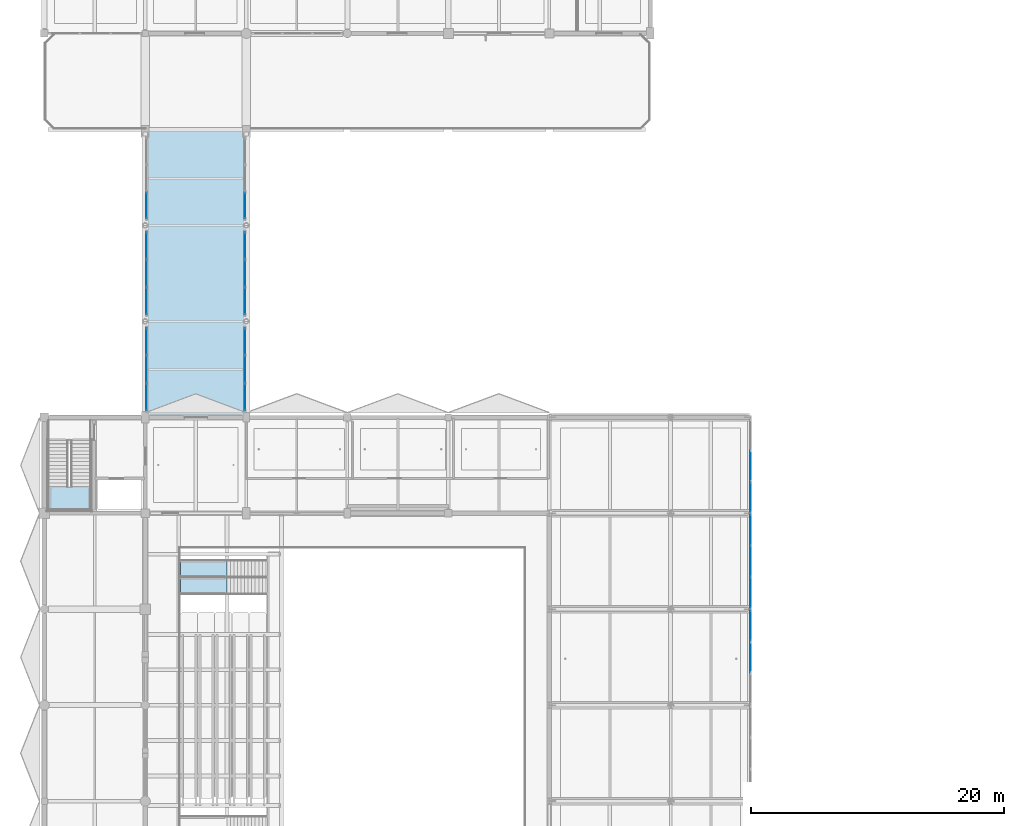
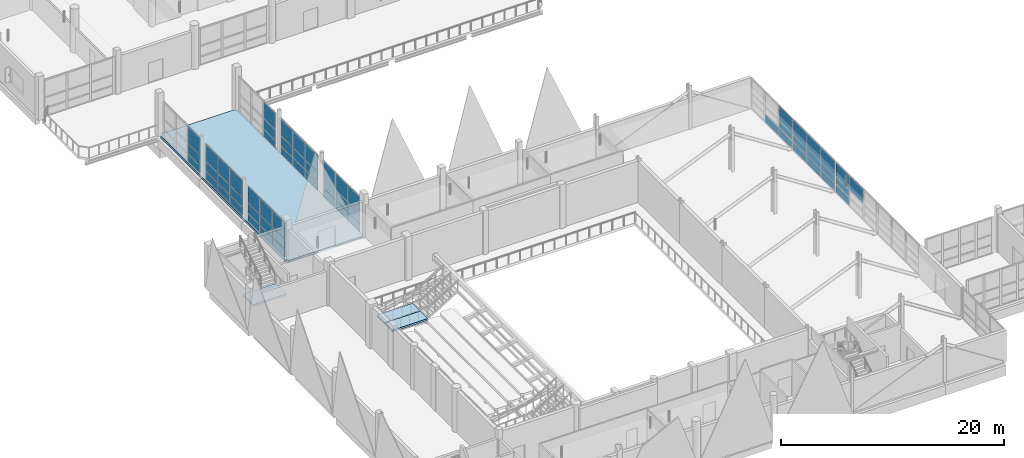
# One storey, part 73 of 141: 59 plates, 4 slabs, 12 elements without a shape of their own.
"""IFC4 building model written with IfcOpenShell, lengths in metres."""

from ifc_helpers import new_model, si_unit, direction, frame, origin, origin_2d, place, context, subcontext, project, spatial, polyline, rectangle, outline, extrude, material, layer, layer_set, type_object, element, aggregate, save


model = new_model("IFC4")

# Units and contexts
model_context = context("Model", 3, precision=1e-05, world=origin(), true_north=direction((0.0, 1.0)))
body_context = subcontext(model_context, "Body", "Model", "MODEL_VIEW")
ifc_project = project(units=[si_unit("LENGTHUNIT", "METRE"), si_unit("AREAUNIT", "SQUARE_METRE"), si_unit("VOLUMEUNIT", "CUBIC_METRE"), si_unit("PLANEANGLEUNIT", "RADIAN"), si_unit("MASSUNIT", "GRAM", prefix="KILO")], contexts=[model_context])

# Site, building, storey
site_placement = place(None, origin())
site = spatial("IfcSite", under=ifc_project, at=site_placement, CompositionType="ELEMENT")
building_placement = place(site_placement, origin())
building = spatial("IfcBuilding", under=site, at=building_placement, Name="Khelvaren Railside Concert Hall", CompositionType="ELEMENT")
storey_placement = place(building_placement, frame((0.0, 0.0, 10.199951171875)))
storey = spatial("IfcBuildingStorey", under=building, at=storey_placement, Name="L02", CompositionType="ELEMENT", Elevation=10.199951171875)

# Curtain wall, plates
ifc_material_1 = material(Name="Triple-glazed solar-control glass", Category="glass")
curtain_wall_type_1 = type_object("IfcCurtainWallType", Name="CW80", PredefinedType="USERDEFINED", material=ifc_material_1)
curtain_wall_1_placement = place(storey_placement, origin())
curtain_wall_1 = element("IfcCurtainWall", 1, at=curtain_wall_1_placement, inside=storey, type_object=curtain_wall_type_1, Name="Unitised Curtain Wall CW-V1-L02-E-30", ObjectType="UNITISED CURTAIN WALL", PredefinedType="USERDEFINED")
ifc_layer_1 = layer(ifc_material_1, 0.035888671875)
ifc_layer_set_1 = layer_set([ifc_layer_1], Name="Triple-glazed solar-control glass")
plate_type_1 = type_object("IfcPlateType", Name="CWP53", PredefinedType="CURTAIN_PANEL", material=ifc_layer_set_1)
plate_1_placement = place(storey_placement, frame((55.93994140625, 36.68798828125, 0.0751953125), z_axis=(0.0, 0.0, 1.0), x_axis=(0.0, -1.0, 0.0)))
plate_1 = element("IfcPlate", 2, at=plate_1_placement, type_object=plate_type_1, Name="CW80 panel 1.1", PredefinedType="CURTAIN_PANEL", context=body_context, shape_type="SweptSolid", body=[
    extrude(rectangle(XDim=2.394287109375, YDim=0.035888671875, at=origin_2d()), origin(), (0.0, 0.0, 1.0), 0.83740234375),
])
plate_2_placement = place(storey_placement, frame((55.93994140625, 36.68798828125, 0.9873046875), z_axis=(0.0, 0.0, 1.0), x_axis=(0.0, -1.0, 0.0)))
plate_2 = element("IfcPlate", 3, at=plate_2_placement, type_object=plate_type_1, Name="CW80 panel 1.2", PredefinedType="CURTAIN_PANEL", context=body_context, shape_type="SweptSolid", body=[
    extrude(rectangle(XDim=2.394287109375, YDim=0.035888671875, at=origin_2d()), origin(), (0.0, 0.0, 1.0), 0.748291015625),
])
plate_3_placement = place(storey_placement, frame((55.93994140625, 36.68798828125, 1.810791015625), z_axis=(0.0, 0.0, 1.0), x_axis=(0.0, -1.0, 0.0)))
plate_3 = element("IfcPlate", 4, at=plate_3_placement, type_object=plate_type_1, Name="CW80 panel 1.3", PredefinedType="CURTAIN_PANEL", context=body_context, shape_type="SweptSolid", body=[
    extrude(rectangle(XDim=2.394287109375, YDim=0.035888671875, at=origin_2d()), origin(), (0.0, 0.0, 1.0), 1.5244140625),
])
plate_4_placement = place(storey_placement, frame((55.93994140625, 34.199951171875, 0.0751953125), z_axis=(0.0, 0.0, 1.0), x_axis=(0.0, -1.0, 0.0)))
plate_4 = element("IfcPlate", 5, at=plate_4_placement, type_object=plate_type_1, Name="CW80 panel 2.1", PredefinedType="CURTAIN_PANEL", context=body_context, shape_type="SweptSolid", body=[
    extrude(rectangle(XDim=2.431640625, YDim=0.035888671875, at=origin_2d()), origin(), (0.0, 0.0, 1.0), 0.83740234375),
])
plate_5_placement = place(storey_placement, frame((55.93994140625, 34.199951171875, 0.9873046875), z_axis=(0.0, 0.0, 1.0), x_axis=(0.0, -1.0, 0.0)))
plate_5 = element("IfcPlate", 6, at=plate_5_placement, type_object=plate_type_1, Name="CW80 panel 2.2", PredefinedType="CURTAIN_PANEL", context=body_context, shape_type="SweptSolid", body=[
    extrude(rectangle(XDim=2.431640625, YDim=0.035888671875, at=origin_2d()), origin(), (0.0, 0.0, 1.0), 0.748291015625),
])
plate_6_placement = place(storey_placement, frame((55.93994140625, 34.199951171875, 1.810791015625), z_axis=(0.0, 0.0, 1.0), x_axis=(0.0, -1.0, 0.0)))
plate_6 = element("IfcPlate", 7, at=plate_6_placement, type_object=plate_type_1, Name="CW80 panel 2.3", PredefinedType="CURTAIN_PANEL", context=body_context, shape_type="SweptSolid", body=[
    extrude(rectangle(XDim=2.431640625, YDim=0.035888671875, at=origin_2d()), origin(), (0.0, 0.0, 1.0), 1.5244140625),
])
plate_7_placement = place(storey_placement, frame((55.93994140625, 31.712158203125, 0.0751953125), z_axis=(0.0, 0.0, 1.0), x_axis=(0.0, -1.0, 0.0)))
plate_7 = element("IfcPlate", 8, at=plate_7_placement, type_object=plate_type_1, Name="CW80 panel 3.1", PredefinedType="CURTAIN_PANEL", context=body_context, shape_type="SweptSolid", body=[
    extrude(rectangle(XDim=2.394287109375, YDim=0.035888671875, at=origin_2d()), origin(), (0.0, 0.0, 1.0), 0.83740234375),
])
plate_8_placement = place(storey_placement, frame((55.93994140625, 31.712158203125, 0.9873046875), z_axis=(0.0, 0.0, 1.0), x_axis=(0.0, -1.0, 0.0)))
plate_8 = element("IfcPlate", 9, at=plate_8_placement, type_object=plate_type_1, Name="CW80 panel 3.2", PredefinedType="CURTAIN_PANEL", context=body_context, shape_type="SweptSolid", body=[
    extrude(rectangle(XDim=2.394287109375, YDim=0.035888671875, at=origin_2d()), origin(), (0.0, 0.0, 1.0), 0.748291015625),
])
plate_9_placement = place(storey_placement, frame((55.93994140625, 31.712158203125, 1.810791015625), z_axis=(0.0, 0.0, 1.0), x_axis=(0.0, -1.0, 0.0)))
plate_9 = element("IfcPlate", 10, at=plate_9_placement, type_object=plate_type_1, Name="CW80 panel 3.3", PredefinedType="CURTAIN_PANEL", context=body_context, shape_type="SweptSolid", body=[
    extrude(rectangle(XDim=2.394287109375, YDim=0.035888671875, at=origin_2d()), origin(), (0.0, 0.0, 1.0), 1.5244140625),
])
aggregate(curtain_wall_1, [plate_1, plate_2, plate_3, plate_4, plate_5, plate_6, plate_7, plate_8, plate_9])

curtain_wall_type_2 = type_object("IfcCurtainWallType", Name="CW41", PredefinedType="USERDEFINED", material=ifc_material_1)
curtain_wall_2_placement = place(storey_placement, origin())
curtain_wall_2 = element("IfcCurtainWall", 11, at=curtain_wall_2_placement, inside=storey, type_object=curtain_wall_type_2, Name="Unitised Curtain Wall CW-V1-L02-E-38", ObjectType="UNITISED CURTAIN WALL", PredefinedType="USERDEFINED")
plate_10_placement = place(storey_placement, frame((55.93994140625, 41.739990234375, 0.0751953125), z_axis=(0.0, 0.0, 1.0), x_axis=(0.0, -1.0, 0.0)))
plate_10 = element("IfcPlate", 12, at=plate_10_placement, type_object=plate_type_1, Name="CW41 panel 2.1", PredefinedType="CURTAIN_PANEL", context=body_context, shape_type="SweptSolid", body=[
    extrude(rectangle(XDim=2.3916015625, YDim=0.035888671875, at=origin_2d()), origin(), (0.0, 0.0, 1.0), 0.83740234375),
])
plate_11_placement = place(storey_placement, frame((55.93994140625, 39.2919921875, 0.0751953125), z_axis=(0.0, 0.0, 1.0), x_axis=(0.0, -1.0, 0.0)))
plate_11 = element("IfcPlate", 13, at=plate_11_placement, type_object=plate_type_1, Name="CW41 panel 3.1", PredefinedType="CURTAIN_PANEL", context=body_context, shape_type="SweptSolid", body=[
    extrude(rectangle(XDim=2.354248046875, YDim=0.035888671875, at=origin_2d()), origin(), (0.0, 0.0, 1.0), 0.83740234375),
])
plate_12_placement = place(storey_placement, frame((55.93994140625, 39.2919921875, 0.9873046875), z_axis=(0.0, 0.0, 1.0), x_axis=(0.0, -1.0, 0.0)))
plate_12 = element("IfcPlate", 14, at=plate_12_placement, type_object=plate_type_1, Name="CW41 panel 3.2", PredefinedType="CURTAIN_PANEL", context=body_context, shape_type="SweptSolid", body=[
    extrude(rectangle(XDim=2.354248046875, YDim=0.035888671875, at=origin_2d()), origin(), (0.0, 0.0, 1.0), 0.748291015625),
])
plate_13_placement = place(storey_placement, frame((55.93994140625, 39.2919921875, 1.810791015625), z_axis=(0.0, 0.0, 1.0), x_axis=(0.0, -1.0, 0.0)))
plate_13 = element("IfcPlate", 15, at=plate_13_placement, type_object=plate_type_1, Name="CW41 panel 3.3", PredefinedType="CURTAIN_PANEL", context=body_context, shape_type="SweptSolid", body=[
    extrude(rectangle(XDim=2.354248046875, YDim=0.035888671875, at=origin_2d()), origin(), (0.0, 0.0, 1.0), 1.5244140625),
])
aggregate(curtain_wall_2, [plate_10, plate_11, plate_12, plate_13])

ifc_material_2 = material(Name="Acoustic laminated crystal facade glass", Category="glass")
curtain_wall_type_3 = type_object("IfcCurtainWallType", Name="CW15", PredefinedType="USERDEFINED", material=ifc_material_2)
curtain_wall_3_placement = place(storey_placement, origin())
curtain_wall_3 = element("IfcCurtainWall", 16, at=curtain_wall_3_placement, inside=storey, type_object=curtain_wall_type_3, Name="Unitised Curtain Wall CW-V1-L02-E-23", ObjectType="UNITISED CURTAIN WALL", PredefinedType="USERDEFINED")
ifc_layer_2 = layer(ifc_material_2, 0.0400390625)
ifc_layer_set_2 = layer_set([ifc_layer_2], Name="Acoustic laminated crystal facade glass")
plate_type_2 = type_object("IfcPlateType", Name="CWP77", PredefinedType="CURTAIN_PANEL", material=ifc_layer_set_2)
plate_14_placement = place(storey_placement, frame((55.93994140625, 29.08544921875, 0.0849609375), z_axis=(0.0, 0.0, 1.0), x_axis=(0.0, -1.0, 0.0)))
plate_14 = element("IfcPlate", 17, at=plate_14_placement, type_object=plate_type_2, Name="CW15 panel 1.1", PredefinedType="CURTAIN_PANEL", context=body_context, shape_type="SweptSolid", body=[
    extrude(rectangle(XDim=2.379150390625, YDim=0.0400390625, at=origin_2d()), origin(), (0.0, 0.0, 1.0), 0.822509765625),
])
plate_15_placement = place(storey_placement, frame((55.93994140625, 29.08544921875, 0.992431640625), z_axis=(0.0, 0.0, 1.0), x_axis=(0.0, -1.0, 0.0)))
plate_15 = element("IfcPlate", 18, at=plate_15_placement, type_object=plate_type_2, Name="CW15 panel 1.2", PredefinedType="CURTAIN_PANEL", context=body_context, shape_type="SweptSolid", body=[
    extrude(rectangle(XDim=2.379150390625, YDim=0.0400390625, at=origin_2d()), origin(), (0.0, 0.0, 1.0), 0.73828125),
])
plate_16_placement = place(storey_placement, frame((55.93994140625, 29.08544921875, 1.815673828125), z_axis=(0.0, 0.0, 1.0), x_axis=(0.0, -1.0, 0.0)))
plate_16 = element("IfcPlate", 19, at=plate_16_placement, type_object=plate_type_2, Name="CW15 panel 1.3", PredefinedType="CURTAIN_PANEL", context=body_context, shape_type="SweptSolid", body=[
    extrude(rectangle(XDim=2.379150390625, YDim=0.0400390625, at=origin_2d()), origin(), (0.0, 0.0, 1.0), 1.50927734375),
])
plate_17_placement = place(storey_placement, frame((55.93994140625, 26.60009765625, 1.815673828125), z_axis=(0.0, 0.0, 1.0), x_axis=(0.0, -1.0, 0.0)))
plate_17 = element("IfcPlate", 20, at=plate_17_placement, type_object=plate_type_2, Name="CW15 panel 2.3", PredefinedType="CURTAIN_PANEL", context=body_context, shape_type="SweptSolid", body=[
    extrude(rectangle(XDim=2.421630859375, YDim=0.0400390625, at=origin_2d()), origin(), (0.0, 0.0, 1.0), 1.50927734375),
])
aggregate(curtain_wall_3, [plate_14, plate_15, plate_16, plate_17])

curtain_wall_type_4 = type_object("IfcCurtainWallType", Name="CW78", PredefinedType="USERDEFINED", material=ifc_material_2)
curtain_wall_4_placement = place(storey_placement, origin())
curtain_wall_4 = element("IfcCurtainWall", 21, at=curtain_wall_4_placement, inside=storey, type_object=curtain_wall_type_4, Name="Unitised Curtain Wall CW-LB3-L02-W1", ObjectType="UNITISED CURTAIN WALL", PredefinedType="USERDEFINED")
plate_18_placement = place(storey_placement, frame((8.10009765625, 47.2080078125, 0.0849609375), z_axis=(0.0, 0.0, 1.0), x_axis=(0.0, 1.0, 0.0)))
plate_18 = element("IfcPlate", 22, at=plate_18_placement, type_object=plate_type_2, Name="CW78 panel 1.1", PredefinedType="CURTAIN_PANEL", context=body_context, shape_type="SweptSolid", body=[
    extrude(rectangle(XDim=2.0859375, YDim=0.0400390625, at=origin_2d()), origin(), (0.0, 0.0, 1.0), 0.822509765625),
])
plate_19_placement = place(storey_placement, frame((8.10009765625, 47.2080078125, 0.992431640625), z_axis=(0.0, 0.0, 1.0), x_axis=(0.0, 1.0, 0.0)))
plate_19 = element("IfcPlate", 23, at=plate_19_placement, type_object=plate_type_2, Name="CW78 panel 1.2", PredefinedType="CURTAIN_PANEL", context=body_context, shape_type="SweptSolid", body=[
    extrude(rectangle(XDim=2.0859375, YDim=0.0400390625, at=origin_2d()), origin(), (0.0, 0.0, 1.0), 1.03466796875),
])
plate_20_placement = place(storey_placement, frame((8.10009765625, 47.2080078125, 2.1123046875), z_axis=(0.0, 0.0, 1.0), x_axis=(0.0, 1.0, 0.0)))
plate_20 = element("IfcPlate", 24, at=plate_20_placement, type_object=plate_type_2, Name="CW78 panel 1.3", PredefinedType="CURTAIN_PANEL", context=body_context, shape_type="SweptSolid", body=[
    extrude(rectangle(XDim=2.0859375, YDim=0.0400390625, at=origin_2d()), origin(), (0.0, 0.0, 1.0), 1.782958984375),
])
plate_21_placement = place(storey_placement, frame((8.10009765625, 49.39990234375, 0.0849609375), z_axis=(0.0, 0.0, 1.0), x_axis=(0.0, 1.0, 0.0)))
plate_21 = element("IfcPlate", 25, at=plate_21_placement, type_object=plate_type_2, Name="CW78 panel 2.1", PredefinedType="CURTAIN_PANEL", context=body_context, shape_type="SweptSolid", body=[
    extrude(rectangle(XDim=2.12841796875, YDim=0.0400390625, at=origin_2d()), origin(), (0.0, 0.0, 1.0), 0.822509765625),
])
plate_22_placement = place(storey_placement, frame((8.10009765625, 49.39990234375, 0.992431640625), z_axis=(0.0, 0.0, 1.0), x_axis=(0.0, 1.0, 0.0)))
plate_22 = element("IfcPlate", 26, at=plate_22_placement, type_object=plate_type_2, Name="CW78 panel 2.2", PredefinedType="CURTAIN_PANEL", context=body_context, shape_type="SweptSolid", body=[
    extrude(rectangle(XDim=2.12841796875, YDim=0.0400390625, at=origin_2d()), origin(), (0.0, 0.0, 1.0), 1.03466796875),
])
plate_23_placement = place(storey_placement, frame((8.10009765625, 49.39990234375, 2.1123046875), z_axis=(0.0, 0.0, 1.0), x_axis=(0.0, 1.0, 0.0)))
plate_23 = element("IfcPlate", 27, at=plate_23_placement, type_object=plate_type_2, Name="CW78 panel 2.3", PredefinedType="CURTAIN_PANEL", context=body_context, shape_type="SweptSolid", body=[
    extrude(rectangle(XDim=2.12841796875, YDim=0.0400390625, at=origin_2d()), origin(), (0.0, 0.0, 1.0), 1.782958984375),
])
plate_24_placement = place(storey_placement, frame((8.10009765625, 51.592041015625, 0.0849609375), z_axis=(0.0, 0.0, 1.0), x_axis=(0.0, 1.0, 0.0)))
plate_24 = element("IfcPlate", 28, at=plate_24_placement, type_object=plate_type_2, Name="CW78 panel 3.1", PredefinedType="CURTAIN_PANEL", context=body_context, shape_type="SweptSolid", body=[
    extrude(rectangle(XDim=2.0859375, YDim=0.0400390625, at=origin_2d()), origin(), (0.0, 0.0, 1.0), 0.822509765625),
])
plate_25_placement = place(storey_placement, frame((8.10009765625, 51.592041015625, 0.992431640625), z_axis=(0.0, 0.0, 1.0), x_axis=(0.0, 1.0, 0.0)))
plate_25 = element("IfcPlate", 29, at=plate_25_placement, type_object=plate_type_2, Name="CW78 panel 3.2", PredefinedType="CURTAIN_PANEL", context=body_context, shape_type="SweptSolid", body=[
    extrude(rectangle(XDim=2.0859375, YDim=0.0400390625, at=origin_2d()), origin(), (0.0, 0.0, 1.0), 1.03466796875),
])
plate_26_placement = place(storey_placement, frame((8.10009765625, 51.592041015625, 2.1123046875), z_axis=(0.0, 0.0, 1.0), x_axis=(0.0, 1.0, 0.0)))
plate_26 = element("IfcPlate", 30, at=plate_26_placement, type_object=plate_type_2, Name="CW78 panel 3.3", PredefinedType="CURTAIN_PANEL", context=body_context, shape_type="SweptSolid", body=[
    extrude(rectangle(XDim=2.0859375, YDim=0.0400390625, at=origin_2d()), origin(), (0.0, 0.0, 1.0), 1.782958984375),
])
aggregate(curtain_wall_4, [plate_18, plate_19, plate_20, plate_21, plate_22, plate_23, plate_24, plate_25, plate_26])

curtain_wall_5_placement = place(storey_placement, origin())
curtain_wall_5 = element("IfcCurtainWall", 31, at=curtain_wall_5_placement, inside=storey, type_object=curtain_wall_type_4, Name="Unitised Curtain Wall CW-LB3-L02-E1", ObjectType="UNITISED CURTAIN WALL", PredefinedType="USERDEFINED")
plate_27_placement = place(storey_placement, frame((15.89990234375, 51.592041015625, 0.0849609375), z_axis=(0.0, 0.0, 1.0), x_axis=(0.0, -1.0, 0.0)))
plate_27 = element("IfcPlate", 32, at=plate_27_placement, type_object=plate_type_2, Name="CW78 panel 1.1", PredefinedType="CURTAIN_PANEL", context=body_context, shape_type="SweptSolid", body=[
    extrude(rectangle(XDim=2.0859375, YDim=0.0400390625, at=origin_2d()), origin(), (0.0, 0.0, 1.0), 0.822509765625),
])
plate_28_placement = place(storey_placement, frame((15.89990234375, 51.592041015625, 0.992431640625), z_axis=(0.0, 0.0, 1.0), x_axis=(0.0, -1.0, 0.0)))
plate_28 = element("IfcPlate", 33, at=plate_28_placement, type_object=plate_type_2, Name="CW78 panel 1.2", PredefinedType="CURTAIN_PANEL", context=body_context, shape_type="SweptSolid", body=[
    extrude(rectangle(XDim=2.0859375, YDim=0.0400390625, at=origin_2d()), origin(), (0.0, 0.0, 1.0), 1.03466796875),
])
plate_29_placement = place(storey_placement, frame((15.89990234375, 51.592041015625, 2.1123046875), z_axis=(0.0, 0.0, 1.0), x_axis=(0.0, -1.0, 0.0)))
plate_29 = element("IfcPlate", 34, at=plate_29_placement, type_object=plate_type_2, Name="CW78 panel 1.3", PredefinedType="CURTAIN_PANEL", context=body_context, shape_type="SweptSolid", body=[
    extrude(rectangle(XDim=2.0859375, YDim=0.0400390625, at=origin_2d()), origin(), (0.0, 0.0, 1.0), 1.782958984375),
])
plate_30_placement = place(storey_placement, frame((15.89990234375, 49.39990234375, 0.0849609375), z_axis=(0.0, 0.0, 1.0), x_axis=(0.0, -1.0, 0.0)))
plate_30 = element("IfcPlate", 35, at=plate_30_placement, type_object=plate_type_2, Name="CW78 panel 2.1", PredefinedType="CURTAIN_PANEL", context=body_context, shape_type="SweptSolid", body=[
    extrude(rectangle(XDim=2.12841796875, YDim=0.0400390625, at=origin_2d()), origin(), (0.0, 0.0, 1.0), 0.822509765625),
])
plate_31_placement = place(storey_placement, frame((15.89990234375, 49.39990234375, 0.992431640625), z_axis=(0.0, 0.0, 1.0), x_axis=(0.0, -1.0, 0.0)))
plate_31 = element("IfcPlate", 36, at=plate_31_placement, type_object=plate_type_2, Name="CW78 panel 2.2", PredefinedType="CURTAIN_PANEL", context=body_context, shape_type="SweptSolid", body=[
    extrude(rectangle(XDim=2.12841796875, YDim=0.0400390625, at=origin_2d()), origin(), (0.0, 0.0, 1.0), 1.03466796875),
])
plate_32_placement = place(storey_placement, frame((15.89990234375, 49.39990234375, 2.1123046875), z_axis=(0.0, 0.0, 1.0), x_axis=(0.0, -1.0, 0.0)))
plate_32 = element("IfcPlate", 37, at=plate_32_placement, type_object=plate_type_2, Name="CW78 panel 2.3", PredefinedType="CURTAIN_PANEL", context=body_context, shape_type="SweptSolid", body=[
    extrude(rectangle(XDim=2.12841796875, YDim=0.0400390625, at=origin_2d()), origin(), (0.0, 0.0, 1.0), 1.782958984375),
])
plate_33_placement = place(storey_placement, frame((15.89990234375, 47.2080078125, 0.0849609375), z_axis=(0.0, 0.0, 1.0), x_axis=(0.0, -1.0, 0.0)))
plate_33 = element("IfcPlate", 38, at=plate_33_placement, type_object=plate_type_2, Name="CW78 panel 3.1", PredefinedType="CURTAIN_PANEL", context=body_context, shape_type="SweptSolid", body=[
    extrude(rectangle(XDim=2.0859375, YDim=0.0400390625, at=origin_2d()), origin(), (0.0, 0.0, 1.0), 0.822509765625),
])
plate_34_placement = place(storey_placement, frame((15.89990234375, 47.2080078125, 0.992431640625), z_axis=(0.0, 0.0, 1.0), x_axis=(0.0, -1.0, 0.0)))
plate_34 = element("IfcPlate", 39, at=plate_34_placement, type_object=plate_type_2, Name="CW78 panel 3.2", PredefinedType="CURTAIN_PANEL", context=body_context, shape_type="SweptSolid", body=[
    extrude(rectangle(XDim=2.0859375, YDim=0.0400390625, at=origin_2d()), origin(), (0.0, 0.0, 1.0), 1.03466796875),
])
plate_35_placement = place(storey_placement, frame((15.89990234375, 47.2080078125, 2.1123046875), z_axis=(0.0, 0.0, 1.0), x_axis=(0.0, -1.0, 0.0)))
plate_35 = element("IfcPlate", 40, at=plate_35_placement, type_object=plate_type_2, Name="CW78 panel 3.3", PredefinedType="CURTAIN_PANEL", context=body_context, shape_type="SweptSolid", body=[
    extrude(rectangle(XDim=2.0859375, YDim=0.0400390625, at=origin_2d()), origin(), (0.0, 0.0, 1.0), 1.782958984375),
])
aggregate(curtain_wall_5, [plate_27, plate_28, plate_29, plate_30, plate_31, plate_32, plate_33, plate_34, plate_35])

curtain_wall_6_placement = place(storey_placement, origin())
curtain_wall_6 = element("IfcCurtainWall", 41, at=curtain_wall_6_placement, inside=storey, type_object=curtain_wall_type_4, Name="Unitised Curtain Wall CW-LB3-L02-W2", ObjectType="UNITISED CURTAIN WALL", PredefinedType="USERDEFINED")
plate_36_placement = place(storey_placement, frame((8.10009765625, 54.807861328125, 0.0849609375), z_axis=(0.0, 0.0, 1.0), x_axis=(0.0, 1.0, 0.0)))
plate_36 = element("IfcPlate", 42, at=plate_36_placement, type_object=plate_type_2, Name="CW78 panel 1.1", PredefinedType="CURTAIN_PANEL", context=body_context, shape_type="SweptSolid", body=[
    extrude(rectangle(XDim=2.0859375, YDim=0.0400390625, at=origin_2d()), origin(), (0.0, 0.0, 1.0), 0.822509765625),
])
plate_37_placement = place(storey_placement, frame((8.10009765625, 54.807861328125, 0.992431640625), z_axis=(0.0, 0.0, 1.0), x_axis=(0.0, 1.0, 0.0)))
plate_37 = element("IfcPlate", 43, at=plate_37_placement, type_object=plate_type_2, Name="CW78 panel 1.2", PredefinedType="CURTAIN_PANEL", context=body_context, shape_type="SweptSolid", body=[
    extrude(rectangle(XDim=2.0859375, YDim=0.0400390625, at=origin_2d()), origin(), (0.0, 0.0, 1.0), 1.03466796875),
])
plate_38_placement = place(storey_placement, frame((8.10009765625, 54.807861328125, 2.1123046875), z_axis=(0.0, 0.0, 1.0), x_axis=(0.0, 1.0, 0.0)))
plate_38 = element("IfcPlate", 44, at=plate_38_placement, type_object=plate_type_2, Name="CW78 panel 1.3", PredefinedType="CURTAIN_PANEL", context=body_context, shape_type="SweptSolid", body=[
    extrude(rectangle(XDim=2.0859375, YDim=0.0400390625, at=origin_2d()), origin(), (0.0, 0.0, 1.0), 1.782958984375),
])
plate_39_placement = place(storey_placement, frame((8.10009765625, 57.0, 0.0849609375), z_axis=(0.0, 0.0, 1.0), x_axis=(0.0, 1.0, 0.0)))
plate_39 = element("IfcPlate", 45, at=plate_39_placement, type_object=plate_type_2, Name="CW78 panel 2.1", PredefinedType="CURTAIN_PANEL", context=body_context, shape_type="SweptSolid", body=[
    extrude(rectangle(XDim=2.12841796875, YDim=0.0400390625, at=origin_2d()), origin(), (0.0, 0.0, 1.0), 0.822509765625),
])
plate_40_placement = place(storey_placement, frame((8.10009765625, 57.0, 0.992431640625), z_axis=(0.0, 0.0, 1.0), x_axis=(0.0, 1.0, 0.0)))
plate_40 = element("IfcPlate", 46, at=plate_40_placement, type_object=plate_type_2, Name="CW78 panel 2.2", PredefinedType="CURTAIN_PANEL", context=body_context, shape_type="SweptSolid", body=[
    extrude(rectangle(XDim=2.12841796875, YDim=0.0400390625, at=origin_2d()), origin(), (0.0, 0.0, 1.0), 1.03466796875),
])
plate_41_placement = place(storey_placement, frame((8.10009765625, 57.0, 2.1123046875), z_axis=(0.0, 0.0, 1.0), x_axis=(0.0, 1.0, 0.0)))
plate_41 = element("IfcPlate", 47, at=plate_41_placement, type_object=plate_type_2, Name="CW78 panel 2.3", PredefinedType="CURTAIN_PANEL", context=body_context, shape_type="SweptSolid", body=[
    extrude(rectangle(XDim=2.12841796875, YDim=0.0400390625, at=origin_2d()), origin(), (0.0, 0.0, 1.0), 1.782958984375),
])
plate_42_placement = place(storey_placement, frame((8.10009765625, 59.192138671875, 0.0849609375), z_axis=(0.0, 0.0, 1.0), x_axis=(0.0, 1.0, 0.0)))
plate_42 = element("IfcPlate", 48, at=plate_42_placement, type_object=plate_type_2, Name="CW78 panel 3.1", PredefinedType="CURTAIN_PANEL", context=body_context, shape_type="SweptSolid", body=[
    extrude(rectangle(XDim=2.0859375, YDim=0.0400390625, at=origin_2d()), origin(), (0.0, 0.0, 1.0), 0.822509765625),
])
plate_43_placement = place(storey_placement, frame((8.10009765625, 59.192138671875, 0.992431640625), z_axis=(0.0, 0.0, 1.0), x_axis=(0.0, 1.0, 0.0)))
plate_43 = element("IfcPlate", 49, at=plate_43_placement, type_object=plate_type_2, Name="CW78 panel 3.2", PredefinedType="CURTAIN_PANEL", context=body_context, shape_type="SweptSolid", body=[
    extrude(rectangle(XDim=2.0859375, YDim=0.0400390625, at=origin_2d()), origin(), (0.0, 0.0, 1.0), 1.03466796875),
])
plate_44_placement = place(storey_placement, frame((8.10009765625, 59.192138671875, 2.1123046875), z_axis=(0.0, 0.0, 1.0), x_axis=(0.0, 1.0, 0.0)))
plate_44 = element("IfcPlate", 50, at=plate_44_placement, type_object=plate_type_2, Name="CW78 panel 3.3", PredefinedType="CURTAIN_PANEL", context=body_context, shape_type="SweptSolid", body=[
    extrude(rectangle(XDim=2.0859375, YDim=0.0400390625, at=origin_2d()), origin(), (0.0, 0.0, 1.0), 1.782958984375),
])
aggregate(curtain_wall_6, [plate_36, plate_37, plate_38, plate_39, plate_40, plate_41, plate_42, plate_43, plate_44])

curtain_wall_7_placement = place(storey_placement, origin())
curtain_wall_7 = element("IfcCurtainWall", 51, at=curtain_wall_7_placement, inside=storey, type_object=curtain_wall_type_4, Name="Unitised Curtain Wall CW-LB3-L02-E2", ObjectType="UNITISED CURTAIN WALL", PredefinedType="USERDEFINED")
plate_45_placement = place(storey_placement, frame((15.89990234375, 59.192138671875, 0.0849609375), z_axis=(0.0, 0.0, 1.0), x_axis=(0.0, -1.0, 0.0)))
plate_45 = element("IfcPlate", 52, at=plate_45_placement, type_object=plate_type_2, Name="CW78 panel 1.1", PredefinedType="CURTAIN_PANEL", context=body_context, shape_type="SweptSolid", body=[
    extrude(rectangle(XDim=2.0859375, YDim=0.0400390625, at=origin_2d()), origin(), (0.0, 0.0, 1.0), 0.822509765625),
])
plate_46_placement = place(storey_placement, frame((15.89990234375, 59.192138671875, 0.992431640625), z_axis=(0.0, 0.0, 1.0), x_axis=(0.0, -1.0, 0.0)))
plate_46 = element("IfcPlate", 53, at=plate_46_placement, type_object=plate_type_2, Name="CW78 panel 1.2", PredefinedType="CURTAIN_PANEL", context=body_context, shape_type="SweptSolid", body=[
    extrude(rectangle(XDim=2.0859375, YDim=0.0400390625, at=origin_2d()), origin(), (0.0, 0.0, 1.0), 1.03466796875),
])
plate_47_placement = place(storey_placement, frame((15.89990234375, 59.192138671875, 2.1123046875), z_axis=(0.0, 0.0, 1.0), x_axis=(0.0, -1.0, 0.0)))
plate_47 = element("IfcPlate", 54, at=plate_47_placement, type_object=plate_type_2, Name="CW78 panel 1.3", PredefinedType="CURTAIN_PANEL", context=body_context, shape_type="SweptSolid", body=[
    extrude(rectangle(XDim=2.0859375, YDim=0.0400390625, at=origin_2d()), origin(), (0.0, 0.0, 1.0), 1.782958984375),
])
plate_48_placement = place(storey_placement, frame((15.89990234375, 57.0, 0.0849609375), z_axis=(0.0, 0.0, 1.0), x_axis=(0.0, -1.0, 0.0)))
plate_48 = element("IfcPlate", 55, at=plate_48_placement, type_object=plate_type_2, Name="CW78 panel 2.1", PredefinedType="CURTAIN_PANEL", context=body_context, shape_type="SweptSolid", body=[
    extrude(rectangle(XDim=2.12841796875, YDim=0.0400390625, at=origin_2d()), origin(), (0.0, 0.0, 1.0), 0.822509765625),
])
plate_49_placement = place(storey_placement, frame((15.89990234375, 57.0, 0.992431640625), z_axis=(0.0, 0.0, 1.0), x_axis=(0.0, -1.0, 0.0)))
plate_49 = element("IfcPlate", 56, at=plate_49_placement, type_object=plate_type_2, Name="CW78 panel 2.2", PredefinedType="CURTAIN_PANEL", context=body_context, shape_type="SweptSolid", body=[
    extrude(rectangle(XDim=2.12841796875, YDim=0.0400390625, at=origin_2d()), origin(), (0.0, 0.0, 1.0), 1.03466796875),
])
plate_50_placement = place(storey_placement, frame((15.89990234375, 57.0, 2.1123046875), z_axis=(0.0, 0.0, 1.0), x_axis=(0.0, -1.0, 0.0)))
plate_50 = element("IfcPlate", 57, at=plate_50_placement, type_object=plate_type_2, Name="CW78 panel 2.3", PredefinedType="CURTAIN_PANEL", context=body_context, shape_type="SweptSolid", body=[
    extrude(rectangle(XDim=2.12841796875, YDim=0.0400390625, at=origin_2d()), origin(), (0.0, 0.0, 1.0), 1.782958984375),
])
plate_51_placement = place(storey_placement, frame((15.89990234375, 54.807861328125, 0.0849609375), z_axis=(0.0, 0.0, 1.0), x_axis=(0.0, -1.0, 0.0)))
plate_51 = element("IfcPlate", 58, at=plate_51_placement, type_object=plate_type_2, Name="CW78 panel 3.1", PredefinedType="CURTAIN_PANEL", context=body_context, shape_type="SweptSolid", body=[
    extrude(rectangle(XDim=2.0859375, YDim=0.0400390625, at=origin_2d()), origin(), (0.0, 0.0, 1.0), 0.822509765625),
])
plate_52_placement = place(storey_placement, frame((15.89990234375, 54.807861328125, 0.992431640625), z_axis=(0.0, 0.0, 1.0), x_axis=(0.0, -1.0, 0.0)))
plate_52 = element("IfcPlate", 59, at=plate_52_placement, type_object=plate_type_2, Name="CW78 panel 3.2", PredefinedType="CURTAIN_PANEL", context=body_context, shape_type="SweptSolid", body=[
    extrude(rectangle(XDim=2.0859375, YDim=0.0400390625, at=origin_2d()), origin(), (0.0, 0.0, 1.0), 1.03466796875),
])
plate_53_placement = place(storey_placement, frame((15.89990234375, 54.807861328125, 2.1123046875), z_axis=(0.0, 0.0, 1.0), x_axis=(0.0, -1.0, 0.0)))
plate_53 = element("IfcPlate", 60, at=plate_53_placement, type_object=plate_type_2, Name="CW78 panel 3.3", PredefinedType="CURTAIN_PANEL", context=body_context, shape_type="SweptSolid", body=[
    extrude(rectangle(XDim=2.0859375, YDim=0.0400390625, at=origin_2d()), origin(), (0.0, 0.0, 1.0), 1.782958984375),
])
aggregate(curtain_wall_7, [plate_45, plate_46, plate_47, plate_48, plate_49, plate_50, plate_51, plate_52, plate_53])

curtain_wall_8_placement = place(storey_placement, origin())
curtain_wall_8 = element("IfcCurtainWall", 61, at=curtain_wall_8_placement, inside=storey, type_object=curtain_wall_type_4, Name="Unitised Curtain Wall CW-LB3-L02-W3", ObjectType="UNITISED CURTAIN WALL", PredefinedType="USERDEFINED")
plate_54_placement = place(storey_placement, frame((8.10009765625, 62.3828125, 0.0849609375), z_axis=(0.0, 0.0, 1.0), x_axis=(0.0, 1.0, 0.0)))
plate_54 = element("IfcPlate", 62, at=plate_54_placement, type_object=plate_type_2, Name="CW78 panel 1.1", PredefinedType="CURTAIN_PANEL", context=body_context, shape_type="SweptSolid", body=[
    extrude(rectangle(XDim=2.035888671875, YDim=0.0400390625, at=origin_2d()), origin(), (0.0, 0.0, 1.0), 0.822509765625),
])
plate_55_placement = place(storey_placement, frame((8.10009765625, 62.3828125, 0.992431640625), z_axis=(0.0, 0.0, 1.0), x_axis=(0.0, 1.0, 0.0)))
plate_55 = element("IfcPlate", 63, at=plate_55_placement, type_object=plate_type_2, Name="CW78 panel 1.2", PredefinedType="CURTAIN_PANEL", context=body_context, shape_type="SweptSolid", body=[
    extrude(rectangle(XDim=2.035888671875, YDim=0.0400390625, at=origin_2d()), origin(), (0.0, 0.0, 1.0), 1.03466796875),
])
plate_56_placement = place(storey_placement, frame((8.10009765625, 62.3828125, 2.1123046875), z_axis=(0.0, 0.0, 1.0), x_axis=(0.0, 1.0, 0.0)))
plate_56 = element("IfcPlate", 64, at=plate_56_placement, type_object=plate_type_2, Name="CW78 panel 1.3", PredefinedType="CURTAIN_PANEL", context=body_context, shape_type="SweptSolid", body=[
    extrude(rectangle(XDim=2.035888671875, YDim=0.0400390625, at=origin_2d()), origin(), (0.0, 0.0, 1.0), 1.782958984375),
])
aggregate(curtain_wall_8, [plate_54, plate_55, plate_56])

curtain_wall_9_placement = place(storey_placement, origin())
curtain_wall_9 = element("IfcCurtainWall", 65, at=curtain_wall_9_placement, inside=storey, type_object=curtain_wall_type_4, Name="Unitised Curtain Wall CW-LB3-L02-E3", ObjectType="UNITISED CURTAIN WALL", PredefinedType="USERDEFINED")
plate_57_placement = place(storey_placement, frame((15.89990234375, 62.3828125, 0.0849609375), z_axis=(0.0, 0.0, 1.0), x_axis=(0.0, -1.0, 0.0)))
plate_57 = element("IfcPlate", 66, at=plate_57_placement, type_object=plate_type_2, Name="CW78 panel 3.1", PredefinedType="CURTAIN_PANEL", context=body_context, shape_type="SweptSolid", body=[
    extrude(rectangle(XDim=2.035888671875, YDim=0.0400390625, at=origin_2d()), origin(), (0.0, 0.0, 1.0), 0.822509765625),
])
plate_58_placement = place(storey_placement, frame((15.89990234375, 62.3828125, 0.992431640625), z_axis=(0.0, 0.0, 1.0), x_axis=(0.0, -1.0, 0.0)))
plate_58 = element("IfcPlate", 67, at=plate_58_placement, type_object=plate_type_2, Name="CW78 panel 3.2", PredefinedType="CURTAIN_PANEL", context=body_context, shape_type="SweptSolid", body=[
    extrude(rectangle(XDim=2.035888671875, YDim=0.0400390625, at=origin_2d()), origin(), (0.0, 0.0, 1.0), 1.03466796875),
])
plate_59_placement = place(storey_placement, frame((15.89990234375, 62.3828125, 2.1123046875), z_axis=(0.0, 0.0, 1.0), x_axis=(0.0, -1.0, 0.0)))
plate_59 = element("IfcPlate", 68, at=plate_59_placement, type_object=plate_type_2, Name="CW78 panel 3.3", PredefinedType="CURTAIN_PANEL", context=body_context, shape_type="SweptSolid", body=[
    extrude(rectangle(XDim=2.035888671875, YDim=0.0400390625, at=origin_2d()), origin(), (0.0, 0.0, 1.0), 1.782958984375),
])
aggregate(curtain_wall_9, [plate_57, plate_58, plate_59])

# Slab
ifc_material_3 = material(Name="Concrete C40/50", Category="concrete")
ifc_layer_3 = layer(ifc_material_3, 0.239990234375)
ifc_layer_set_3 = layer_set([ifc_layer_3], Name="Concrete C40/50")
slab_type_1 = type_object("IfcSlabType", Name="FS36", PredefinedType="FLOOR", material=ifc_layer_set_3)
slab_1_placement = place(storey_placement, frame((0.0, 0.0, -0.239990234375)))
element("IfcSlab", 69, at=slab_1_placement, inside=storey, type_object=slab_type_1, Name="West Court Chamber Link Bridge L02 Deck Slab", PredefinedType="FLOOR", context=body_context, shape_type="SweptSolid", body=[
    extrude(outline(polyline([(8.25, 45.60009765625), (15.75, 45.60009765625), (16.0, 45.85009765625), (16.0, 68.199951171875), (15.75, 68.449951171875), (8.25, 68.449951171875), (8.0, 68.199951171875), (8.0, 45.85009765625), (8.25, 45.60009765625)])), origin(), (0.0, 0.0, 1.0), 0.239990234375),
])

# Stair, slab
stair_type_1 = type_object("IfcStairType", Name="ST52", PredefinedType="HALF_TURN_STAIR", material=ifc_material_3)
stair_1_placement = place(storey_placement, origin())
stair_1 = element("IfcStair", 70, at=stair_1_placement, inside=storey, type_object=stair_type_1, Name="L02 Core Exit Stair ST-11", PredefinedType="HALF_TURN_STAIR")
ifc_layer_4 = layer(ifc_material_3, 0.199951171875)
ifc_layer_set_4 = layer_set([ifc_layer_4], Name="Concrete C40/50")
slab_type_2 = type_object("IfcSlabType", Name="LND67", PredefinedType="LANDING", material=ifc_layer_set_4)
slab_2_placement = place(storey_placement, frame((0.0, 0.0, 2.199951171875)))
slab_2 = element("IfcSlab", 71, at=slab_2_placement, type_object=slab_type_2, Name="ST-11 landing 1", PredefinedType="LANDING", context=body_context, shape_type="SweptSolid", body=[
    extrude(outline(polyline([(0.300048828125, 40.1201171875), (0.300048828125, 38.239990234375), (3.699951171875, 38.239990234375), (3.699951171875, 40.1201171875), (0.300048828125, 40.1201171875)])), origin(), (0.0, 0.0, 1.0), 0.2001953125),
])
aggregate(stair_1, [slab_2])

ifc_material_4 = material(Name="Precast architectural concrete C40/50", Category="concrete")
stair_type_2 = type_object("IfcStairType", Name="VST15", PredefinedType="STRAIGHT_RUN_STAIR", material=ifc_material_4)
stair_2_placement = place(storey_placement, origin())
stair_2 = element("IfcStair", 72, at=stair_2_placement, inside=storey, type_object=stair_type_2, Name="Auditorium Vomitory Stair ST-23", PredefinedType="STRAIGHT_RUN_STAIR")
slab_3_placement = place(storey_placement, frame((0.0, 0.0, -0.199951171875)))
slab_3 = element("IfcSlab", 73, at=slab_3_placement, type_object=slab_type_2, Name="ST-23 landing 1", PredefinedType="LANDING", context=body_context, shape_type="SweptSolid", body=[
    extrude(outline(polyline([(10.800048828125, 31.550048828125), (14.469970703125, 31.550048828125), (14.469970703125, 32.949951171875), (10.800048828125, 32.949951171875), (10.800048828125, 31.550048828125)])), origin(), (0.0, 0.0, 1.0), 0.199951171875),
])
aggregate(stair_2, [slab_3])

stair_3_placement = place(storey_placement, origin())
stair_3 = element("IfcStair", 74, at=stair_3_placement, inside=storey, type_object=stair_type_2, Name="Auditorium Vomitory Stair ST-24", PredefinedType="STRAIGHT_RUN_STAIR")
slab_4_placement = place(storey_placement, frame((0.0, 0.0, -0.199951171875)))
slab_4 = element("IfcSlab", 75, at=slab_4_placement, type_object=slab_type_2, Name="ST-24 landing 1", PredefinedType="LANDING", context=body_context, shape_type="SweptSolid", body=[
    extrude(outline(polyline([(10.800048828125, 32.89990234375), (14.469970703125, 32.89990234375), (14.469970703125, 34.300048828125), (10.800048828125, 34.300048828125), (10.800048828125, 32.89990234375)])), origin(), (0.0, 0.0, 1.0), 0.199951171875),
])
aggregate(stair_3, [slab_4])

save(model, "model.ifc")
